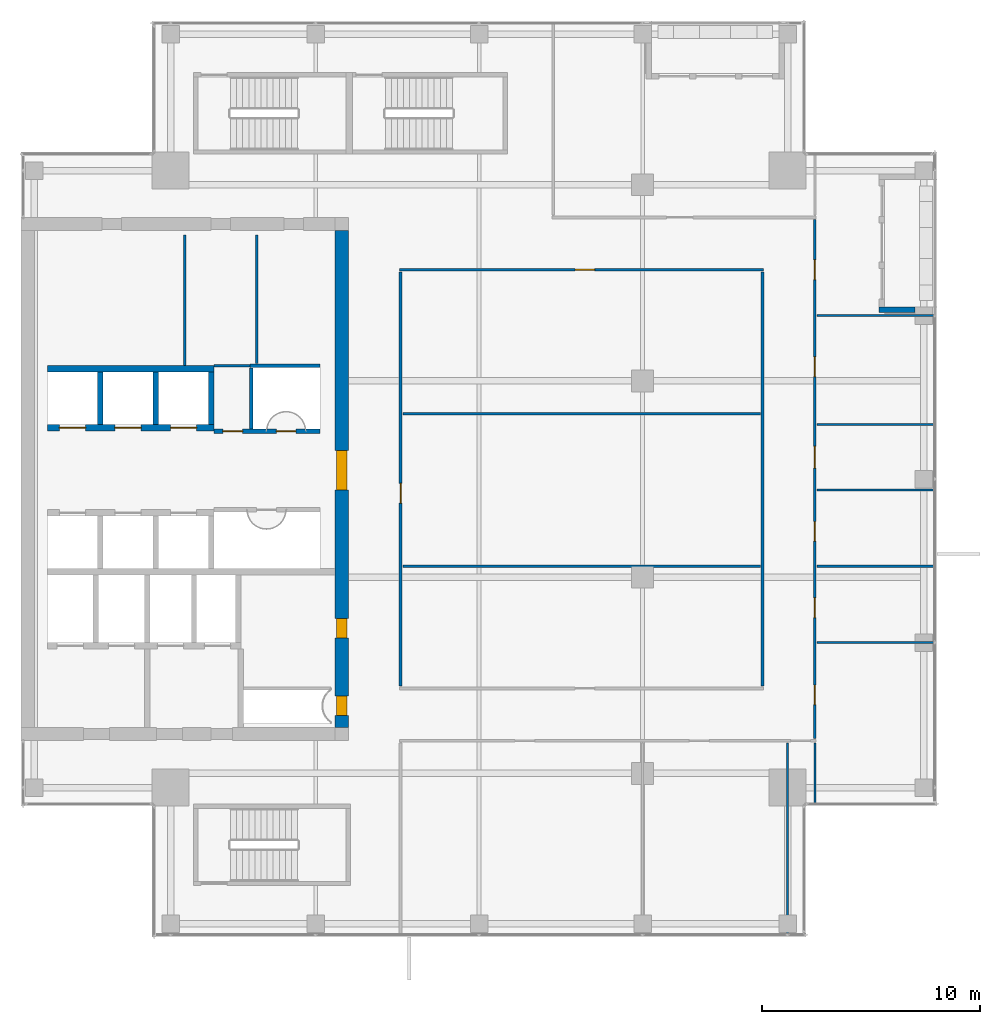
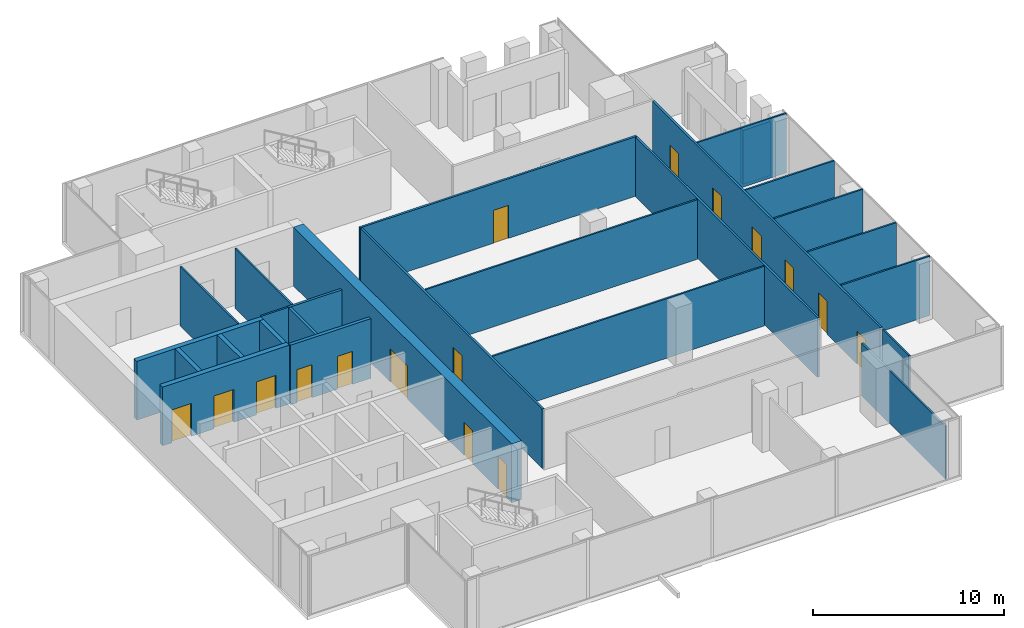
# One storey, part 24 of 28: 26 walls, 16 doors, 16 openings.
"""IFC4 building model written with IfcOpenShell, lengths in metres."""

from ifc_helpers import new_model, si_unit, direction, frame, frame_2d, origin, place, context, subcontext, project, spatial, rectangle, extrude, source, transform, mapped, material, layer, layer_set, type_object, element, fill, save


model = new_model("IFC4")

# Units and contexts
model_context = context("Model", 3, precision=1e-05, world=origin(), true_north=direction((0.0, 1.0)))
body_context = subcontext(model_context, "Body", "Model", "MODEL_VIEW")
ifc_project = project(units=[si_unit("LENGTHUNIT", "METRE"), si_unit("AREAUNIT", "SQUARE_METRE"), si_unit("VOLUMEUNIT", "CUBIC_METRE"), si_unit("PLANEANGLEUNIT", "RADIAN"), si_unit("MASSUNIT", "GRAM", prefix="KILO")], contexts=[model_context])

# Site, building, storey
site_placement = place(None, origin())
site = spatial("IfcSite", under=ifc_project, at=site_placement, CompositionType="ELEMENT")
building_placement = place(site_placement, origin())
building = spatial("IfcBuilding", under=site, at=building_placement, Name="Khomas Fold Tower", CompositionType="ELEMENT")
storey_placement = place(building_placement, frame((0.0, 0.0, 302.199951171875)))
storey = spatial("IfcBuildingStorey", under=building, at=storey_placement, Name="L68", CompositionType="ELEMENT", Elevation=302.199951171875)

# Walls
ifc_material_1 = material(Name="Concrete C50/60", Category="concrete")
ifc_layer_1 = layer(ifc_material_1, 0.25)
ifc_layer_set_1 = layer_set([ifc_layer_1], Name="Concrete C50/60")
wall_type_1 = type_object("IfcWallType", Name="Shaft wall 250", PredefinedType="STANDARD", material=ifc_layer_set_1)
shared_shape_1 = source(origin(), body_context, "Body", "SweptSolid", [
    extrude(rectangle(XDim=2.39990234375, YDim=0.25, at=frame_2d((1.199951171875, 0.0))), origin(), (0.0, 0.0, 1.0), 3.75),
])
for number, where, z_axis, x_axis, name in (
    (1, (9.625, 29.5, 0.0), (0.0, 0.0, 1.0), (0.0, 1.0, 0.0), "Core wall SW-HRN-P1"),
    (2, (12.175048828125, 29.5, 0.0), (0.0, 0.0, 1.0), (0.0, 1.0, 0.0), "Core wall SW-HRN-P2"),
    (3, (14.72509765625, 29.5, 0.0), (0.0, 0.0, 1.0), (0.0, 1.0, 0.0), "Core wall SW-HRN-PE"),
):
    element("IfcWall", number, at=place(storey_placement, frame(where, z_axis=z_axis, x_axis=x_axis)), inside=storey, type_object=wall_type_1, Name=name, PredefinedType="STANDARD", context=body_context, shape_type="MappedRepresentation", body=[
        mapped(shared_shape_1, transform((0.0, 0.0, 0.0))),
    ])

# Wall, openings, doors
ifc_material_2 = material(Name="Concrete C50/60", Category="concrete")
ifc_layer_2 = layer(ifc_material_2, 0.60009765625)
ifc_layer_set_2 = layer_set([ifc_layer_2], Name="Concrete C50/60")
wall_type_2 = type_object("IfcWallType", Name="Core wall 600", PredefinedType="SHEAR", material=ifc_layer_set_2)
shared_shape_2 = source(origin(), body_context, "Body", "SweptSolid", [
    extrude(rectangle(XDim=22.7998046875, YDim=0.60009765625, at=frame_2d((11.39990234375, 0.0))), origin(), (0.0, 0.0, 1.0), 3.75),
])
wall_1_placement = place(storey_placement, frame((20.699951171875, 15.60009765625, 0.0), z_axis=(0.0, 0.0, 1.0), x_axis=(0.0, 1.0, 0.0)))
wall_1 = element("IfcWall", 4, at=wall_1_placement, inside=storey, type_object=wall_type_2, Name="Core wall CW-U-E-L63", PredefinedType="SHEAR", context=body_context, shape_type="MappedRepresentation", body=[
    mapped(shared_shape_2, transform((0.0, 0.0, 0.0))),
])
shared_shape_3 = source(origin(), body_context, "Body", "SweptSolid", [
    extrude(rectangle(XDim=1.800048828125, YDim=2.10009765625, at=frame_2d((0.89990234375, 1.050048828125))), frame((0.0, 0.31005859375, 0.0), z_axis=(0.0, -1.0, 0.0), x_axis=(1.0, 0.0, 0.0)), (0.0, 0.0, 1.0), 0.6201171875),
])
opening_1_placement = place(wall_1_placement, frame((10.89990234375, 0.0, 0.0)))
opening_1 = element("IfcOpeningElement", 5, at=opening_1_placement, cuts=wall_1, Name="Opening 0015", PredefinedType="OPENING", context=body_context, shape_type="MappedRepresentation", body=[
    mapped(shared_shape_3, transform((0.0, 0.0, 0.0))),
])
shared_shape_4 = source(origin(), body_context, "Body", "SweptSolid", [
    extrude(rectangle(XDim=0.89990234375, YDim=2.10009765625, at=frame_2d((0.449951171875, 1.050048828125))), frame((0.0, 0.31005859375, 0.0), z_axis=(0.0, -1.0, 0.0), x_axis=(1.0, 0.0, 0.0)), (0.0, 0.0, 1.0), 0.6201171875),
])
opening_2_placement = place(wall_1_placement, frame((0.550048828125, 0.0, 0.0)))
opening_2 = element("IfcOpeningElement", 6, at=opening_2_placement, cuts=wall_1, Name="Opening 0003", PredefinedType="OPENING", context=body_context, shape_type="MappedRepresentation", body=[
    mapped(shared_shape_4, transform((0.0, 0.0, 0.0))),
])
opening_3_placement = place(wall_1_placement, frame((4.10009765625, 0.0, 0.0)))
opening_3 = element("IfcOpeningElement", 7, at=opening_3_placement, cuts=wall_1, Name="Opening 0008", PredefinedType="OPENING", context=body_context, shape_type="MappedRepresentation", body=[
    mapped(shared_shape_4, transform((0.0, 0.0, 0.0))),
])
ifc_material_3 = material(Name="Steel door leaf", Category="steel")
door_type_1 = type_object("IfcDoorType", Name="Lobby door 1800x2100", OperationType="DOUBLE_DOOR_SINGLE_SWING", PredefinedType="DOOR", material=ifc_material_3)
shared_shape_5 = source(origin(), body_context, "Body", "SweptSolid", [
    extrude(rectangle(XDim=1.800048828125, YDim=2.10009765625, at=frame_2d((0.89990234375, 1.050048828125))), frame((0.0, 0.25, 0.0), z_axis=(0.0, -1.0, 0.0), x_axis=(1.0, 0.0, 0.0)), (0.0, 0.0, 1.0), 0.5),
])
door_1_placement = place(opening_1_placement, origin())
door_1 = element("IfcDoor", 8, at=door_1_placement, inside=storey, type_object=door_type_1, Name="Lobby door", OperationType="DOUBLE_DOOR_SINGLE_SWING", OverallHeight=2.10009765625, OverallWidth=1.800048828125, PredefinedType="DOOR", context=body_context, shape_type="MappedRepresentation", body=[
    mapped(shared_shape_5, transform((0.0, 0.0, 0.0))),
])
fill(opening_1, door_1)
ifc_material_4 = material(Name="Steel door leaf", Category="steel")
door_type_2 = type_object("IfcDoorType", Name="Plant room door 900x2100 right-hand", OperationType="SINGLE_SWING_RIGHT", PredefinedType="DOOR", material=ifc_material_4)
shared_shape_6 = source(origin(), body_context, "Body", "SweptSolid", [
    extrude(rectangle(XDim=0.89990234375, YDim=2.10009765625, at=frame_2d((0.449951171875, 1.050048828125))), frame((0.0, 0.25, 0.0), z_axis=(0.0, -1.0, 0.0), x_axis=(1.0, 0.0, 0.0)), (0.0, 0.0, 1.0), 0.5),
])
door_2_placement = place(opening_2_placement, origin())
door_2 = element("IfcDoor", 9, at=door_2_placement, inside=storey, type_object=door_type_2, Name="Plant room door", OperationType="SINGLE_SWING_RIGHT", OverallHeight=2.10009765625, OverallWidth=0.89990234375, PredefinedType="DOOR", context=body_context, shape_type="MappedRepresentation", body=[
    mapped(shared_shape_6, transform((0.0, 0.0, 0.0))),
])
fill(opening_2, door_2)
ifc_material_5 = material(Name="Timber door leaf", Category="wood")
door_type_3 = type_object("IfcDoorType", Name="Door 900x2100 right-hand", OperationType="SINGLE_SWING_RIGHT", PredefinedType="DOOR", material=ifc_material_5)
door_3_placement = place(opening_3_placement, origin())
door_3 = element("IfcDoor", 10, at=door_3_placement, inside=storey, type_object=door_type_3, Name="Door", OperationType="SINGLE_SWING_RIGHT", OverallHeight=2.10009765625, OverallWidth=0.89990234375, PredefinedType="DOOR", context=body_context, shape_type="MappedRepresentation", body=[
    mapped(shared_shape_6, transform((0.0, 0.0, 0.0))),
])
fill(opening_3, door_3)

# Wall
ifc_material_6 = material(Name="Concrete C50/60", Category="concrete")
ifc_layer_3 = layer(ifc_material_6, 0.300048828125)
ifc_layer_set_3 = layer_set([ifc_layer_3], Name="Concrete C50/60")
wall_type_3 = type_object("IfcWallType", Name="Shaft wall 300", PredefinedType="STANDARD", material=ifc_layer_set_3)
shared_shape_7 = source(origin(), body_context, "Body", "SweptSolid", [
    extrude(rectangle(XDim=7.650146484375, YDim=0.300048828125, at=frame_2d((3.8251953125, 0.0))), origin(), (0.0, 0.0, 1.0), 3.75),
])
wall_2_placement = place(storey_placement, frame((7.199951171875, 32.050048828125, 0.0), z_axis=(0.0, 0.0, 1.0), x_axis=(1.0, 0.0, 0.0)))
element("IfcWall", 11, at=wall_2_placement, inside=storey, type_object=wall_type_3, Name="Core wall SW-HRN-B", PredefinedType="STANDARD", context=body_context, shape_type="MappedRepresentation", body=[
    mapped(shared_shape_7, transform((0.0, 0.0, 0.0))),
])

# Wall, openings, doors
wall_3_placement = place(storey_placement, frame((7.199951171875, 29.35009765625, 0.0), z_axis=(0.0, 0.0, 1.0), x_axis=(1.0, 0.0, 0.0)))
wall_3 = element("IfcWall", 12, at=wall_3_placement, inside=storey, type_object=wall_type_3, Name="Core wall SW-HRN-F", PredefinedType="STANDARD", context=body_context, shape_type="MappedRepresentation", body=[
    mapped(shared_shape_7, transform((0.0, 0.0, 0.0))),
])
shared_shape_8 = source(origin(), body_context, "Body", "SweptSolid", [
    extrude(rectangle(XDim=1.199951171875, YDim=2.10009765625, at=frame_2d((0.60009765625, 1.050048828125))), frame((0.0, 0.159912109375, 0.0), z_axis=(0.0, -1.0, 0.0), x_axis=(1.0, 0.0, 0.0)), (0.0, 0.0, 1.0), 0.320068359375),
])
opening_4_placement = place(wall_3_placement, frame((0.550048828125, 0.0, 0.0)))
opening_4 = element("IfcOpeningElement", 13, at=opening_4_placement, cuts=wall_3, Name="Opening LD-HR4", PredefinedType="OPENING", context=body_context, shape_type="MappedRepresentation", body=[
    mapped(shared_shape_8, transform((0.0, 0.0, 0.0))),
])
opening_5_placement = place(wall_3_placement, frame((3.10009765625, 0.0, 0.0)))
opening_5 = element("IfcOpeningElement", 14, at=opening_5_placement, cuts=wall_3, Name="Opening LD-HR5", PredefinedType="OPENING", context=body_context, shape_type="MappedRepresentation", body=[
    mapped(shared_shape_8, transform((0.0, 0.0, 0.0))),
])
opening_6_placement = place(wall_3_placement, frame((5.64990234375, 0.0, 0.0)))
opening_6 = element("IfcOpeningElement", 15, at=opening_6_placement, cuts=wall_3, Name="Opening LD-HR6", PredefinedType="OPENING", context=body_context, shape_type="MappedRepresentation", body=[
    mapped(shared_shape_8, transform((0.0, 0.0, 0.0))),
])
ifc_material_7 = material(Name="Steel door leaf", Category="steel")
door_type_4 = type_object("IfcDoorType", Name="Landing door 1200x2100", OperationType="DOUBLE_DOOR_SLIDING", PredefinedType="DOOR", material=ifc_material_7)
shared_shape_9 = source(origin(), body_context, "Body", "SweptSolid", [
    extrude(rectangle(XDim=1.199951171875, YDim=2.10009765625, at=frame_2d((0.60009765625, 1.050048828125))), frame((0.0, 0.02490234375, 0.0), z_axis=(0.0, -1.0, 0.0), x_axis=(1.0, 0.0, 0.0)), (0.0, 0.0, 1.0), 0.050048828125),
])
door_4_placement = place(opening_4_placement, origin())
door_4 = element("IfcDoor", 16, at=door_4_placement, inside=storey, type_object=door_type_4, Name="Lift landing door", OperationType="DOUBLE_DOOR_SLIDING", OverallHeight=2.10009765625, OverallWidth=1.199951171875, PredefinedType="DOOR", context=body_context, shape_type="MappedRepresentation", body=[
    mapped(shared_shape_9, transform((0.0, 0.0, 0.0))),
])
fill(opening_4, door_4)
door_5_placement = place(opening_5_placement, origin())
door_5 = element("IfcDoor", 17, at=door_5_placement, inside=storey, type_object=door_type_4, Name="Lift landing door", OperationType="DOUBLE_DOOR_SLIDING", OverallHeight=2.10009765625, OverallWidth=1.199951171875, PredefinedType="DOOR", context=body_context, shape_type="MappedRepresentation", body=[
    mapped(shared_shape_9, transform((0.0, 0.0, 0.0))),
])
fill(opening_5, door_5)
door_6_placement = place(opening_6_placement, origin())
door_6 = element("IfcDoor", 18, at=door_6_placement, inside=storey, type_object=door_type_4, Name="Lift landing door", OperationType="DOUBLE_DOOR_SLIDING", OverallHeight=2.10009765625, OverallWidth=1.199951171875, PredefinedType="DOOR", context=body_context, shape_type="MappedRepresentation", body=[
    mapped(shared_shape_9, transform((0.0, 0.0, 0.0))),
])
fill(opening_6, door_6)

# Walls
ifc_material_8 = material(Name="Natural stone", Category="masonry")
ifc_layer_4 = layer(ifc_material_8, 0.0400390625)
ifc_material_9 = material(Name="Mineral wool insulation", Category="insulation")
ifc_layer_5 = layer(ifc_material_9, 0.10009765625)
ifc_material_10 = material(Name="Masonry", Category="masonry")
ifc_layer_6 = layer(ifc_material_10, 0.110107421875)
ifc_layer_set_4 = layer_set([ifc_layer_4, ifc_layer_5, ifc_layer_6], Name="Stone-faced insulated masonry")
wall_type_4 = type_object("IfcWallType", Name="BL-Balcony wall", PredefinedType="SOLIDWALL", material=ifc_layer_set_4)
shared_shape_10 = source(origin(), body_context, "Body", "SweptSolid", [
    extrude(rectangle(XDim=1.64990234375, YDim=0.25, at=frame_2d((0.824951171875, 0.0))), origin(), (0.0, 0.0, 1.0), 3.449951171875),
])
wall_4_placement = place(storey_placement, frame((47.0, 34.77490234375, 0.0), z_axis=(0.0, 0.0, 1.0), x_axis=(-1.0, 0.0, 0.0)))
element("IfcWall", 19, at=wall_4_placement, inside=storey, type_object=wall_type_4, Name="Balcony return wall BAL-L68-E4-lo", PredefinedType="SOLIDWALL", context=body_context, shape_type="MappedRepresentation", body=[
    mapped(shared_shape_10, transform((0.0, 0.0, 0.0))),
])
ifc_material_11 = material(Name="Plasterboard partition")
ifc_layer_7 = layer(ifc_material_11, 0.10009765625)
ifc_layer_set_5 = layer_set([ifc_layer_7], Name="Plasterboard partition")
wall_type_5 = type_object("IfcWallType", Name="Partition PW1 100", PredefinedType="PARTITIONING", material=ifc_layer_set_5)
shared_shape_11 = source(origin(), body_context, "Body", "SweptSolid", [
    extrude(rectangle(XDim=6.0, YDim=0.10009765625, at=frame_2d((3.0, 0.0))), origin(), (0.0, 0.0, 1.0), 3.800048828125),
])
wall_5_placement = place(storey_placement, frame((13.5, 32.199951171875, 0.0), z_axis=(0.0, 0.0, 1.0), x_axis=(0.0, 1.0, 0.0)))
element("IfcWall", 20, at=wall_5_placement, inside=storey, type_object=wall_type_5, Name="Partition", PredefinedType="PARTITIONING", context=body_context, shape_type="MappedRepresentation", body=[
    mapped(shared_shape_11, transform((0.0, 0.0, 0.0))),
])

# Wall, opening, door
ifc_material_12 = material(Name="Plasterboard partition")
ifc_layer_8 = layer(ifc_material_12, 0.125)
ifc_layer_set_6 = layer_set([ifc_layer_8], Name="Plasterboard partition")
wall_type_6 = type_object("IfcWallType", Name="Partition PW2 125", PredefinedType="PARTITIONING", material=ifc_layer_set_6)
shared_shape_12 = source(origin(), body_context, "Body", "SweptSolid", [
    extrude(rectangle(XDim=19.0, YDim=0.125, at=frame_2d((9.5, 0.0))), origin(), (0.0, 0.0, 1.0), 3.800048828125),
])
wall_6_placement = place(storey_placement, frame((23.39990234375, 17.5, 0.0), z_axis=(0.0, 0.0, 1.0), x_axis=(0.0, 1.0, 0.0)))
wall_6 = element("IfcWall", 21, at=wall_6_placement, inside=storey, type_object=wall_type_6, Name="Partition", PredefinedType="PARTITIONING", context=body_context, shape_type="MappedRepresentation", body=[
    mapped(shared_shape_12, transform((0.0, 0.0, 0.0))),
])
shared_shape_13 = source(origin(), body_context, "Body", "SweptSolid", [
    extrude(rectangle(XDim=0.89990234375, YDim=2.10009765625, at=frame_2d((0.449951171875, 1.050048828125))), frame((0.0, 0.072509765625, 0.0), z_axis=(0.0, -1.0, 0.0), x_axis=(1.0, 0.0, 0.0)), (0.0, 0.0, 1.0), 0.14501953125),
])
opening_7_placement = place(wall_6_placement, frame((8.39990234375, 0.0, 0.0)))
opening_7 = element("IfcOpeningElement", 22, at=opening_7_placement, cuts=wall_6, Name="Opening 0007", PredefinedType="OPENING", context=body_context, shape_type="MappedRepresentation", body=[
    mapped(shared_shape_13, transform((0.0, 0.0, 0.0))),
])
ifc_material_13 = material(Name="Timber door leaf", Category="wood")
door_type_5 = type_object("IfcDoorType", Name="Door 900x2100 left-hand", OperationType="SINGLE_SWING_LEFT", PredefinedType="DOOR", material=ifc_material_13)
shared_shape_14 = source(origin(), body_context, "Body", "SweptSolid", [
    extrude(rectangle(XDim=0.89990234375, YDim=2.10009765625, at=frame_2d((0.449951171875, 1.050048828125))), frame((0.0, 0.02490234375, 0.0), z_axis=(0.0, -1.0, 0.0), x_axis=(1.0, 0.0, 0.0)), (0.0, 0.0, 1.0), 0.050048828125),
])
door_7_placement = place(opening_7_placement, origin())
door_7 = element("IfcDoor", 23, at=door_7_placement, inside=storey, type_object=door_type_5, Name="Door", OperationType="SINGLE_SWING_LEFT", OverallHeight=2.10009765625, OverallWidth=0.89990234375, PredefinedType="DOOR", context=body_context, shape_type="MappedRepresentation", body=[
    mapped(shared_shape_14, transform((0.0, 0.0, 0.0))),
])
fill(opening_7, door_7)

# Wall
wall_7_placement = place(storey_placement, frame((40.0, 17.5, 0.0), z_axis=(0.0, 0.0, 1.0), x_axis=(0.0, 1.0, 0.0)))
element("IfcWall", 24, at=wall_7_placement, inside=storey, type_object=wall_type_6, Name="Partition", PredefinedType="PARTITIONING", context=body_context, shape_type="MappedRepresentation", body=[
    mapped(shared_shape_12, transform((0.0, 0.0, 0.0))),
])

# Wall, openings, doors
ifc_material_14 = material(Name="Concrete C30/37", Category="concrete")
ifc_layer_9 = layer(ifc_material_14, 0.199951171875)
ifc_layer_set_7 = layer_set([ifc_layer_9], Name="Concrete C30/37")
wall_type_7 = type_object("IfcWallType", Name="Lobby wall PW4 200", PredefinedType="PARTITIONING", material=ifc_layer_set_7)
shared_shape_15 = source(origin(), body_context, "Body", "SweptSolid", [
    extrude(rectangle(XDim=4.849853515625, YDim=0.199951171875, at=frame_2d((2.4248046875, 0.0))), origin(), (0.0, 0.0, 1.0), 3.800048828125),
])
wall_8_placement = place(storey_placement, frame((14.85009765625, 29.199951171875, 0.0), z_axis=(0.0, 0.0, 1.0), x_axis=(1.0, 0.0, 0.0)))
wall_8 = element("IfcWall", 25, at=wall_8_placement, inside=storey, type_object=wall_type_7, Name="Lobby wall", PredefinedType="PARTITIONING", context=body_context, shape_type="MappedRepresentation", body=[
    mapped(shared_shape_15, transform((0.0, 0.0, 0.0))),
])
shared_shape_16 = source(origin(), body_context, "Body", "SweptSolid", [
    extrude(rectangle(XDim=0.89990234375, YDim=2.10009765625, at=frame_2d((0.449951171875, 1.050048828125))), frame((0.0, 0.10986328125, 0.0), z_axis=(0.0, -1.0, 0.0), x_axis=(1.0, 0.0, 0.0)), (0.0, 0.0, 1.0), 0.219970703125),
])
opening_8_placement = place(wall_8_placement, frame((0.39990234375, 0.0, 0.0)))
opening_8 = element("IfcOpeningElement", 26, at=opening_8_placement, cuts=wall_8, Name="Opening 0021", PredefinedType="OPENING", context=body_context, shape_type="MappedRepresentation", body=[
    mapped(shared_shape_16, transform((0.0, 0.0, 0.0))),
])
opening_9_placement = place(wall_8_placement, frame((2.85009765625, 0.0, 0.0)))
opening_9 = element("IfcOpeningElement", 27, at=opening_9_placement, cuts=wall_8, Name="Opening 0003", PredefinedType="OPENING", context=body_context, shape_type="MappedRepresentation", body=[
    mapped(shared_shape_16, transform((0.0, 0.0, 0.0))),
])
ifc_material_15 = material(Name="Steel door leaf", Category="steel")
door_type_6 = type_object("IfcDoorType", Name="Lobby door 900x2100 left-hand", OperationType="SINGLE_SWING_LEFT", PredefinedType="DOOR", material=ifc_material_15)
door_8_placement = place(opening_8_placement, origin())
door_8 = element("IfcDoor", 28, at=door_8_placement, inside=storey, type_object=door_type_6, Name="Lobby door", OperationType="SINGLE_SWING_LEFT", OverallHeight=2.10009765625, OverallWidth=0.89990234375, PredefinedType="DOOR", context=body_context, shape_type="MappedRepresentation", body=[
    mapped(shared_shape_14, transform((0.0, 0.0, 0.0))),
])
fill(opening_8, door_8)
door_9_placement = place(opening_9_placement, origin())
door_9 = element("IfcDoor", 29, at=door_9_placement, inside=storey, type_object=door_type_2, Name="Plant room door", OperationType="SINGLE_SWING_RIGHT", OverallHeight=2.10009765625, OverallWidth=0.89990234375, PredefinedType="DOOR", context=body_context, shape_type="MappedRepresentation", body=[
    mapped(shared_shape_14, transform((0.0, 0.0, 0.0))),
])
fill(opening_9, door_9)

# Walls
ifc_material_16 = material(Name="Plasterboard fire partition")
ifc_layer_10 = layer(ifc_material_16, 0.14990234375)
ifc_layer_set_8 = layer_set([ifc_layer_10], Name="Plasterboard fire partition")
wall_type_8 = type_object("IfcWallType", Name="Plant room wall PW3 150", PredefinedType="PARTITIONING", material=ifc_layer_set_8)
shared_shape_17 = source(origin(), body_context, "Body", "SweptSolid", [
    extrude(rectangle(XDim=2.800048828125, YDim=0.14990234375, at=frame_2d((1.39990234375, 0.0))), origin(), (0.0, 0.0, 1.0), 3.800048828125),
])
wall_9_placement = place(storey_placement, frame((16.550048828125, 29.300048828125, 0.0), z_axis=(0.0, 0.0, 1.0), x_axis=(0.0, 1.0, 0.0)))
element("IfcWall", 30, at=wall_9_placement, inside=storey, type_object=wall_type_8, Name="Plant room wall", PredefinedType="PARTITIONING", context=body_context, shape_type="MappedRepresentation", body=[
    mapped(shared_shape_17, transform((0.0, 0.0, 0.0))),
])
shared_shape_18 = source(origin(), body_context, "Body", "SweptSolid", [
    extrude(rectangle(XDim=1.64990234375, YDim=0.10009765625, at=frame_2d((0.824951171875, 0.0))), origin(), (0.0, 0.0, 1.0), 3.800048828125),
])
wall_10_placement = place(storey_placement, frame((14.85009765625, 32.199951171875, 0.0), z_axis=(0.0, 0.0, 1.0), x_axis=(1.0, 0.0, 0.0)))
element("IfcWall", 31, at=wall_10_placement, inside=storey, type_object=wall_type_5, Name="Partition", PredefinedType="PARTITIONING", context=body_context, shape_type="MappedRepresentation", body=[
    mapped(shared_shape_18, transform((0.0, 0.0, 0.0))),
])
shared_shape_19 = source(origin(), body_context, "Body", "SweptSolid", [
    extrude(rectangle(XDim=3.199951171875, YDim=0.14990234375, at=frame_2d((1.60009765625, 0.0))), origin(), (0.0, 0.0, 1.0), 3.800048828125),
])
wall_11_placement = place(storey_placement, frame((16.5, 32.199951171875, 0.0), z_axis=(0.0, 0.0, 1.0), x_axis=(1.0, 0.0, 0.0)))
element("IfcWall", 32, at=wall_11_placement, inside=storey, type_object=wall_type_8, Name="Plant room wall", PredefinedType="PARTITIONING", context=body_context, shape_type="MappedRepresentation", body=[
    mapped(shared_shape_19, transform((0.0, 0.0, 0.0))),
])
shared_shape_20 = source(origin(), body_context, "Body", "SweptSolid", [
    extrude(rectangle(XDim=5.89990234375, YDim=0.10009765625, at=frame_2d((2.949951171875, 0.0))), origin(), (0.0, 0.0, 1.0), 3.800048828125),
])
wall_12_placement = place(storey_placement, frame((16.800048828125, 32.300048828125, 0.0), z_axis=(0.0, 0.0, 1.0), x_axis=(0.0, 1.0, 0.0)))
element("IfcWall", 33, at=wall_12_placement, inside=storey, type_object=wall_type_5, Name="Partition", PredefinedType="PARTITIONING", context=body_context, shape_type="MappedRepresentation", body=[
    mapped(shared_shape_20, transform((0.0, 0.0, 0.0))),
])
shared_shape_21 = source(origin(), body_context, "Body", "SweptSolid", [
    extrude(rectangle(XDim=8.75, YDim=0.10009765625, at=frame_2d((4.375, 0.0))), origin(), (0.0, 0.0, 1.0), 3.35009765625),
])
wall_13_placement = place(storey_placement, frame((41.14990234375, 6.14990234375, 0.0), z_axis=(0.0, 0.0, 1.0), x_axis=(0.0, 1.0, 0.0)))
element("IfcWall", 34, at=wall_13_placement, inside=storey, type_object=wall_type_5, Name="Partition", PredefinedType="PARTITIONING", context=body_context, shape_type="MappedRepresentation", body=[
    mapped(shared_shape_21, transform((0.0, 0.0, 0.0))),
])
shared_shape_22 = source(origin(), body_context, "Body", "SweptSolid", [
    extrude(rectangle(XDim=2.75, YDim=0.10009765625, at=frame_2d((1.375, 0.0))), origin(), (0.0, 0.0, 1.0), 3.800048828125),
])
wall_14_placement = place(storey_placement, frame((42.39990234375, 12.14990234375, 0.0), z_axis=(0.0, 0.0, 1.0), x_axis=(0.0, 1.0, 0.0)))
element("IfcWall", 35, at=wall_14_placement, inside=storey, type_object=wall_type_5, Name="Partition", PredefinedType="PARTITIONING", context=body_context, shape_type="MappedRepresentation", body=[
    mapped(shared_shape_22, transform((0.0, 0.0, 0.0))),
])

# Wall, openings, doors
shared_shape_23 = source(origin(), body_context, "Body", "SweptSolid", [
    extrude(rectangle(XDim=23.7998046875, YDim=0.125, at=frame_2d((11.89990234375, 0.0))), origin(), (0.0, 0.0, 1.0), 3.800048828125),
])
wall_15_placement = place(storey_placement, frame((42.39990234375, 15.10009765625, 0.0), z_axis=(0.0, 0.0, 1.0), x_axis=(0.0, 1.0, 0.0)))
wall_15 = element("IfcWall", 36, at=wall_15_placement, inside=storey, type_object=wall_type_6, Name="Partition", PredefinedType="PARTITIONING", context=body_context, shape_type="MappedRepresentation", body=[
    mapped(shared_shape_23, transform((0.0, 0.0, 0.0))),
])
opening_10_placement = place(wall_15_placement, frame((1.550048828125, 0.0, 0.0)))
opening_10 = element("IfcOpeningElement", 37, at=opening_10_placement, cuts=wall_15, Name="Opening 0007", PredefinedType="OPENING", context=body_context, shape_type="MappedRepresentation", body=[
    mapped(shared_shape_13, transform((0.0, 0.0, 0.0))),
])
opening_11_placement = place(wall_15_placement, frame((5.550048828125, 0.0, 0.0)))
opening_11 = element("IfcOpeningElement", 38, at=opening_11_placement, cuts=wall_15, Name="Opening 0005", PredefinedType="OPENING", context=body_context, shape_type="MappedRepresentation", body=[
    mapped(shared_shape_13, transform((0.0, 0.0, 0.0))),
])
opening_12_placement = place(wall_15_placement, frame((9.050048828125, 0.0, 0.0)))
opening_12 = element("IfcOpeningElement", 39, at=opening_12_placement, cuts=wall_15, Name="Opening 0005", PredefinedType="OPENING", context=body_context, shape_type="MappedRepresentation", body=[
    mapped(shared_shape_13, transform((0.0, 0.0, 0.0))),
])
shared_shape_24 = source(origin(), body_context, "Body", "SweptSolid", [
    extrude(rectangle(XDim=1.0, YDim=2.10009765625, at=frame_2d((0.5, 1.050048828125))), frame((0.0, 0.072509765625, 0.0), z_axis=(0.0, -1.0, 0.0), x_axis=(1.0, 0.0, 0.0)), (0.0, 0.0, 1.0), 0.14501953125),
])
opening_13_placement = place(wall_15_placement, frame((12.39990234375, 0.0, 0.0)))
opening_13 = element("IfcOpeningElement", 40, at=opening_13_placement, cuts=wall_15, Name="Opening 0006", PredefinedType="OPENING", context=body_context, shape_type="MappedRepresentation", body=[
    mapped(shared_shape_24, transform((0.0, 0.0, 0.0))),
])
opening_14_placement = place(wall_15_placement, frame((16.60009765625, 0.0, 0.0)))
opening_14 = element("IfcOpeningElement", 41, at=opening_14_placement, cuts=wall_15, Name="Opening 0008", PredefinedType="OPENING", context=body_context, shape_type="MappedRepresentation", body=[
    mapped(shared_shape_13, transform((0.0, 0.0, 0.0))),
])
opening_15_placement = place(wall_15_placement, frame((21.050048828125, 0.0, 0.0)))
opening_15 = element("IfcOpeningElement", 42, at=opening_15_placement, cuts=wall_15, Name="Opening 0007", PredefinedType="OPENING", context=body_context, shape_type="MappedRepresentation", body=[
    mapped(shared_shape_13, transform((0.0, 0.0, 0.0))),
])
door_10_placement = place(opening_10_placement, origin())
door_10 = element("IfcDoor", 43, at=door_10_placement, inside=storey, type_object=door_type_5, Name="Door", OperationType="SINGLE_SWING_LEFT", OverallHeight=2.10009765625, OverallWidth=0.89990234375, PredefinedType="DOOR", context=body_context, shape_type="MappedRepresentation", body=[
    mapped(shared_shape_14, transform((0.0, 0.0, 0.0))),
])
fill(opening_10, door_10)
ifc_material_17 = material(Name="Timber door leaf", Category="wood")
door_type_7 = type_object("IfcDoorType", Name="WC door 900x2100 left-hand", OperationType="SINGLE_SWING_LEFT", PredefinedType="DOOR", material=ifc_material_17)
door_11_placement = place(opening_11_placement, origin())
door_11 = element("IfcDoor", 44, at=door_11_placement, inside=storey, type_object=door_type_7, Name="WC door", OperationType="SINGLE_SWING_LEFT", OverallHeight=2.10009765625, OverallWidth=0.89990234375, PredefinedType="DOOR", context=body_context, shape_type="MappedRepresentation", body=[
    mapped(shared_shape_14, transform((0.0, 0.0, 0.0))),
])
fill(opening_11, door_11)
door_12_placement = place(opening_12_placement, origin())
door_12 = element("IfcDoor", 45, at=door_12_placement, inside=storey, type_object=door_type_7, Name="WC door", OperationType="SINGLE_SWING_LEFT", OverallHeight=2.10009765625, OverallWidth=0.89990234375, PredefinedType="DOOR", context=body_context, shape_type="MappedRepresentation", body=[
    mapped(shared_shape_14, transform((0.0, 0.0, 0.0))),
])
fill(opening_12, door_12)
door_13_placement = place(opening_14_placement, origin())
door_13 = element("IfcDoor", 46, at=door_13_placement, inside=storey, type_object=door_type_3, Name="Door", OperationType="SINGLE_SWING_RIGHT", OverallHeight=2.10009765625, OverallWidth=0.89990234375, PredefinedType="DOOR", context=body_context, shape_type="MappedRepresentation", body=[
    mapped(shared_shape_14, transform((0.0, 0.0, 0.0))),
])
fill(opening_14, door_13)
door_14_placement = place(opening_15_placement, origin())
door_14 = element("IfcDoor", 47, at=door_14_placement, inside=storey, type_object=door_type_5, Name="Door", OperationType="SINGLE_SWING_LEFT", OverallHeight=2.10009765625, OverallWidth=0.89990234375, PredefinedType="DOOR", context=body_context, shape_type="MappedRepresentation", body=[
    mapped(shared_shape_14, transform((0.0, 0.0, 0.0))),
])
fill(opening_15, door_14)
ifc_material_18 = material(Name="Timber door leaf", Category="wood")
door_type_8 = type_object("IfcDoorType", Name="WC door 1000x2100 right-hand", OperationType="SINGLE_SWING_RIGHT", PredefinedType="DOOR", material=ifc_material_18)
shared_shape_25 = source(origin(), body_context, "Body", "SweptSolid", [
    extrude(rectangle(XDim=1.0, YDim=2.10009765625, at=frame_2d((0.5, 1.050048828125))), frame((0.0, 0.02490234375, 0.0), z_axis=(0.0, -1.0, 0.0), x_axis=(1.0, 0.0, 0.0)), (0.0, 0.0, 1.0), 0.050048828125),
])
door_15_placement = place(opening_13_placement, origin())
door_15 = element("IfcDoor", 48, at=door_15_placement, inside=storey, type_object=door_type_8, Name="WC door", OperationType="SINGLE_SWING_RIGHT", OverallHeight=2.10009765625, OverallWidth=1.0, PredefinedType="DOOR", context=body_context, shape_type="MappedRepresentation", body=[
    mapped(shared_shape_25, transform((0.0, 0.0, 0.0))),
])
fill(opening_13, door_15)

# Wall, opening, door
shared_shape_26 = source(origin(), body_context, "Body", "SweptSolid", [
    extrude(rectangle(XDim=16.699951171875, YDim=0.125, at=frame_2d((8.35009765625, 0.0))), origin(), (0.0, 0.0, 1.0), 3.800048828125),
])
wall_16_placement = place(storey_placement, frame((23.35009765625, 36.60009765625, 0.0), z_axis=(0.0, 0.0, 1.0), x_axis=(1.0, 0.0, 0.0)))
wall_16 = element("IfcWall", 49, at=wall_16_placement, inside=storey, type_object=wall_type_6, Name="Partition", PredefinedType="PARTITIONING", context=body_context, shape_type="MappedRepresentation", body=[
    mapped(shared_shape_26, transform((0.0, 0.0, 0.0))),
])
opening_16_placement = place(wall_16_placement, frame((8.050048828125, 0.0, 0.0)))
opening_16 = element("IfcOpeningElement", 50, at=opening_16_placement, cuts=wall_16, Name="Opening 0008", PredefinedType="OPENING", context=body_context, shape_type="MappedRepresentation", body=[
    mapped(shared_shape_13, transform((0.0, 0.0, 0.0))),
])
door_16_placement = place(opening_16_placement, origin())
door_16 = element("IfcDoor", 51, at=door_16_placement, inside=storey, type_object=door_type_3, Name="Door", OperationType="SINGLE_SWING_RIGHT", OverallHeight=2.10009765625, OverallWidth=0.89990234375, PredefinedType="DOOR", context=body_context, shape_type="MappedRepresentation", body=[
    mapped(shared_shape_14, transform((0.0, 0.0, 0.0))),
])
fill(opening_16, door_16)

# Walls
shared_shape_27 = source(origin(), body_context, "Body", "SweptSolid", [
    extrude(rectangle(XDim=16.39990234375, YDim=0.10009765625, at=frame_2d((8.199951171875, 0.0))), origin(), (0.0, 0.0, 1.0), 3.800048828125),
])
for number, where, z_axis, x_axis, name in (
    (52, (23.5, 23.0, 0.0), (0.0, 0.0, 1.0), (1.0, 0.0, 0.0), "Partition"),
    (53, (23.5, 30.0, 0.0), (0.0, 0.0, 1.0), (1.0, 0.0, 0.0), "Partition"),
):
    element("IfcWall", number, at=place(storey_placement, frame(where, z_axis=z_axis, x_axis=x_axis)), inside=storey, type_object=wall_type_5, Name=name, PredefinedType="PARTITIONING", context=body_context, shape_type="MappedRepresentation", body=[
        mapped(shared_shape_27, transform((0.0, 0.0, 0.0))),
    ])
shared_shape_28 = source(origin(), body_context, "Body", "SweptSolid", [
    extrude(rectangle(XDim=5.35009765625, YDim=0.10009765625, at=frame_2d((2.675048828125, 0.0))), origin(), (0.0, 0.0, 1.0), 3.800048828125),
])
for number, where, z_axis, x_axis, name in (
    (54, (42.5, 19.5, 0.0), (0.0, 0.0, 1.0), (1.0, 0.0, 0.0), "Partition"),
    (55, (42.5, 23.0, 0.0), (0.0, 0.0, 1.0), (1.0, 0.0, 0.0), "Partition"),
    (56, (42.5, 26.5, 0.0), (0.0, 0.0, 1.0), (1.0, 0.0, 0.0), "Partition"),
    (57, (42.5, 29.5, 0.0), (0.0, 0.0, 1.0), (1.0, 0.0, 0.0), "Partition"),
    (58, (42.5, 34.5, 0.0), (0.0, 0.0, 1.0), (1.0, 0.0, 0.0), "Partition"),
):
    element("IfcWall", number, at=place(storey_placement, frame(where, z_axis=z_axis, x_axis=x_axis)), inside=storey, type_object=wall_type_5, Name=name, PredefinedType="PARTITIONING", context=body_context, shape_type="MappedRepresentation", body=[
        mapped(shared_shape_28, transform((0.0, 0.0, 0.0))),
    ])

save(model, "model.ifc")
